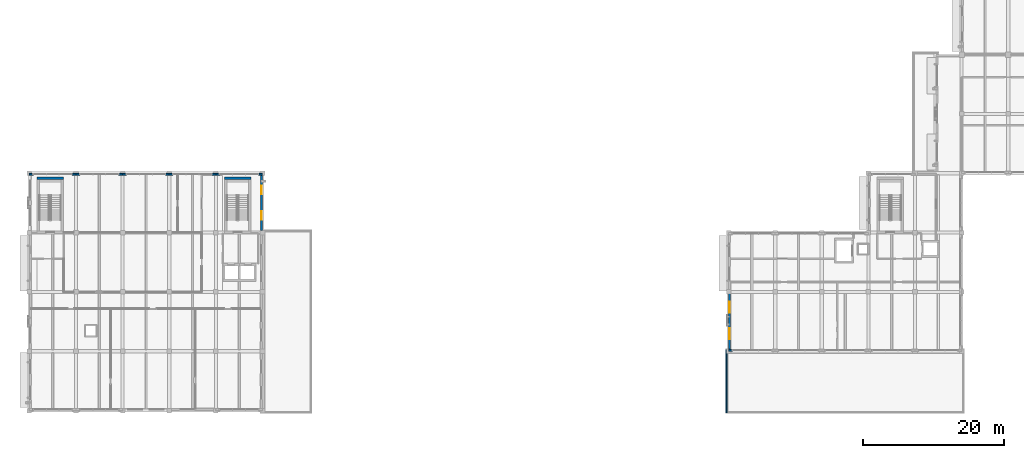
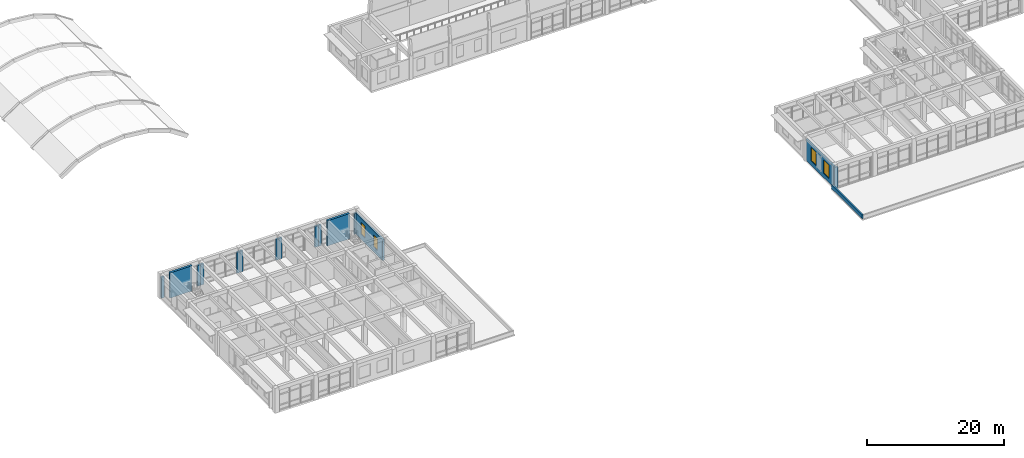
# One storey, part 28 of 50: 16 walls, 4 windows, 4 openings.
"""IFC4 building model written with IfcOpenShell, lengths in metres."""

from ifc_helpers import new_model, si_unit, direction, frame, frame_2d, origin, place, context, subcontext, project, spatial, rectangle, extrude, material, layer, layer_set, type_object, element, fill, save


model = new_model("IFC4")

# Units and contexts
model_context = context("Model", 3, precision=1e-05, world=origin(), true_north=direction((0.0, 1.0)))
body_context = subcontext(model_context, "Body", "Model", "MODEL_VIEW")
ifc_project = project(units=[si_unit("LENGTHUNIT", "METRE"), si_unit("AREAUNIT", "SQUARE_METRE"), si_unit("VOLUMEUNIT", "CUBIC_METRE"), si_unit("PLANEANGLEUNIT", "RADIAN"), si_unit("MASSUNIT", "GRAM", prefix="KILO")], contexts=[model_context])

# Site, building, storey
site_placement = place(None, origin())
site = spatial("IfcSite", under=ifc_project, at=site_placement, CompositionType="ELEMENT")
building_placement = place(site_placement, origin())
building = spatial("IfcBuilding", under=site, at=building_placement, Name="Kolvaren Faculty of Natural Sciences", CompositionType="ELEMENT")
storey_placement = place(building_placement, frame((0.0, 0.0, 15.0)))
storey = spatial("IfcBuildingStorey", under=building, at=storey_placement, Name="L03", CompositionType="ELEMENT", Elevation=15.0)

# Walls
ifc_material_1 = material(Name="Concrete C40/50", Category="concrete")
ifc_layer_1 = layer(ifc_material_1, 0.35009765625)
ifc_layer_set_1 = layer_set([ifc_layer_1], Name="Concrete C40/50")
wall_type_1 = type_object("IfcWallType", Name="CoreShearWall_350", PredefinedType="SHEAR", material=ifc_layer_set_1)
for number, where, z_axis, x_axis, name in (
    (1, (34.425048828125, 41.5, 0.0), (0.0, 0.0, 1.0), (1.0, 0.0, 0.0), "L03 CORE-C4 stair shear wall N"),
    (2, (7.875, 41.5, 0.0), (0.0, 0.0, 1.0), (1.0, 0.0, 0.0), "L03 CORE-C8 stair shear wall N"),
):
    element("IfcWall", number, at=place(storey_placement, frame(where, z_axis=z_axis, x_axis=x_axis)), inside=storey, type_object=wall_type_1, Name=name, PredefinedType="SHEAR", context=body_context, shape_type="SweptSolid", body=[
        extrude(rectangle(XDim=3.75, YDim=0.35009765625, at=frame_2d((1.875, 0.0))), origin(), (0.0, 0.0, 1.0), 4.5),
    ])
ifc_material_2 = material(Name="Precast concrete C35/45", Category="concrete")
ifc_layer_2 = layer(ifc_material_2, 0.280029296875)
ifc_layer_set_2 = layer_set([ifc_layer_2], Name="Precast concrete C35/45")
wall_type_2 = type_object("IfcWallType", Name="ExteriorPrecastWall_280", PredefinedType="STANDARD", material=ifc_layer_set_2)
for number, where, z_axis, x_axis, name in (
    (3, (6.800048828125, 42.06005859375, 0.0), (0.0, 0.0, 1.0), (1.0, 0.0, 0.0), "L03 curtain-wall pier stub 476"),
    (4, (12.8798828125, 42.06005859375, 0.0), (0.0, 0.0, 1.0), (1.0, 0.0, 0.0), "L03 curtain-wall pier stub 477"),
    (5, (13.39990234375, 42.06005859375, 0.0), (0.0, 0.0, 1.0), (1.0, 0.0, 0.0), "L03 curtain-wall pier stub 478"),
    (6, (19.47998046875, 42.06005859375, 0.0), (0.0, 0.0, 1.0), (1.0, 0.0, 0.0), "L03 curtain-wall pier stub 479"),
    (7, (20.0, 42.06005859375, 0.0), (0.0, 0.0, 1.0), (1.0, 0.0, 0.0), "L03 curtain-wall pier stub 480"),
    (8, (26.080078125, 42.06005859375, 0.0), (0.0, 0.0, 1.0), (1.0, 0.0, 0.0), "L03 curtain-wall pier stub 481"),
    (9, (26.60009765625, 42.06005859375, 0.0), (0.0, 0.0, 1.0), (1.0, 0.0, 0.0), "L03 curtain-wall pier stub 482"),
    (10, (32.679931640625, 42.06005859375, 0.0), (0.0, 0.0, 1.0), (1.0, 0.0, 0.0), "L03 curtain-wall pier stub 483"),
    (11, (33.199951171875, 42.06005859375, 0.0), (0.0, 0.0, 1.0), (1.0, 0.0, 0.0), "L03 curtain-wall pier stub 484"),
    (12, (39.280029296875, 42.06005859375, 0.0), (0.0, 0.0, 1.0), (1.0, 0.0, 0.0), "L03 curtain-wall pier stub 485"),
):
    element("IfcWall", number, at=place(storey_placement, frame(where, z_axis=z_axis, x_axis=x_axis)), inside=storey, type_object=wall_type_2, Name=name, PredefinedType="STANDARD", context=body_context, shape_type="SweptSolid", body=[
        extrude(rectangle(XDim=0.52001953125, YDim=0.280029296875, at=frame_2d((0.260009765625, 0.0))), origin(), (0.0, 0.0, 1.0), 3.735107421875),
    ])

# Wall, openings, windows
wall_1_placement = place(storey_placement, frame((39.659912109375, 41.919921875, 0.0), z_axis=(0.0, 0.0, 1.0), x_axis=(0.0, -1.0, 0.0)))
wall_1 = element("IfcWall", 13, at=wall_1_placement, inside=storey, type_object=wall_type_2, Name="L03 exterior masonry wall EW-280 (486)", PredefinedType="STANDARD", context=body_context, shape_type="SweptSolid", body=[
    extrude(rectangle(XDim=7.83984375, YDim=0.280029296875, at=frame_2d((3.919921875, 0.0))), origin(), (0.0, 0.0, 1.0), 3.735107421875),
])
opening_1_placement = place(wall_1_placement, frame((1.516845703125, 0.0, 0.89990234375)))
opening_1 = element("IfcOpeningElement", 14, at=opening_1_placement, cuts=wall_1, Name="Opening WIN-01", PredefinedType="OPENING", context=body_context, shape_type="SweptSolid", body=[
    extrude(rectangle(XDim=1.199951171875, YDim=2.10009765625, at=frame_2d((0.60009765625, 1.050048828125))), frame((0.0, 0.14990234375, 0.0), z_axis=(0.0, -1.0, 0.0), x_axis=(1.0, 0.0, 0.0)), (0.0, 0.0, 1.0), 0.300048828125),
])
opening_2_placement = place(wall_1_placement, frame((5.123291015625, 0.0, 0.89990234375)))
opening_2 = element("IfcOpeningElement", 15, at=opening_2_placement, cuts=wall_1, Name="Opening WIN-01", PredefinedType="OPENING", context=body_context, shape_type="SweptSolid", body=[
    extrude(rectangle(XDim=1.199951171875, YDim=2.10009765625, at=frame_2d((0.60009765625, 1.050048828125))), frame((0.0, 0.14990234375, 0.0), z_axis=(0.0, -1.0, 0.0), x_axis=(1.0, 0.0, 0.0)), (0.0, 0.0, 1.0), 0.300048828125),
])
ifc_material_3 = material(Name="Double low-E solar control insulated glazing", Category="glass")
window_type_1 = type_object("IfcWindowType", Name="AluWindow_WIN01_1200x2100", PartitioningType="SINGLE_PANEL", PredefinedType="WINDOW", material=ifc_material_3)
window_1_placement = place(opening_1_placement, origin())
window_1 = element("IfcWindow", 16, at=window_1_placement, inside=storey, type_object=window_type_1, Name="WIN-L03-0307", OverallHeight=2.10009765625, OverallWidth=1.199951171875, PartitioningType="SINGLE_PANEL", PredefinedType="WINDOW", context=body_context, shape_type="SweptSolid", body=[
    extrude(rectangle(XDim=1.199951171875, YDim=2.10009765625, at=frame_2d((0.60009765625, 1.050048828125))), frame((0.0, 0.030029296875, 0.0), z_axis=(0.0, -1.0, 0.0), x_axis=(1.0, 0.0, 0.0)), (0.0, 0.0, 1.0), 0.06005859375),
])
fill(opening_1, window_1)
window_2_placement = place(opening_2_placement, origin())
window_2 = element("IfcWindow", 17, at=window_2_placement, inside=storey, type_object=window_type_1, Name="WIN-L03-0308", OverallHeight=2.10009765625, OverallWidth=1.199951171875, PartitioningType="SINGLE_PANEL", PredefinedType="WINDOW", context=body_context, shape_type="SweptSolid", body=[
    extrude(rectangle(XDim=1.199951171875, YDim=2.10009765625, at=frame_2d((0.60009765625, 1.050048828125))), frame((0.0, 0.030029296875, 0.0), z_axis=(0.0, -1.0, 0.0), x_axis=(1.0, 0.0, 0.0)), (0.0, 0.0, 1.0), 0.06005859375),
])
fill(opening_2, window_2)

# Wall
wall_2_placement = place(storey_placement, frame((106.320068359375, 17.139892578125, 0.0), z_axis=(0.0, 0.0, 1.0), x_axis=(-1.0, 0.0, 0.0)))
element("IfcWall", 18, at=wall_2_placement, inside=storey, type_object=wall_type_2, Name="L03 curtain-wall pier stub 550", PredefinedType="STANDARD", context=body_context, shape_type="SweptSolid", body=[
    extrude(rectangle(XDim=0.52001953125, YDim=0.280029296875, at=frame_2d((0.260009765625, 0.0))), origin(), (0.0, 0.0, 1.0), 3.735107421875),
])

# Wall, openings, windows
wall_3_placement = place(storey_placement, frame((105.93994140625, 17.280029296875, 0.0), z_axis=(0.0, 0.0, 1.0), x_axis=(0.0, 1.0, 0.0)))
wall_3 = element("IfcWall", 19, at=wall_3_placement, inside=storey, type_object=wall_type_2, Name="L03 exterior masonry wall EW-280 (551)", PredefinedType="STANDARD", context=body_context, shape_type="SweptSolid", body=[
    extrude(rectangle(XDim=8.119873046875, YDim=0.280029296875, at=frame_2d((4.06005859375, 0.0))), origin(), (0.0, 0.0, 1.0), 3.784912109375),
])
opening_3_placement = place(wall_3_placement, frame((1.41748046875, 0.0, 0.75)))
opening_3 = element("IfcOpeningElement", 20, at=opening_3_placement, cuts=wall_3, Name="Opening WIN-20", PredefinedType="OPENING", context=body_context, shape_type="SweptSolid", body=[
    extrude(rectangle(XDim=1.550048828125, YDim=2.39990234375, at=frame_2d((0.77490234375, 1.199951171875))), frame((0.0, 0.14990234375, 0.0), z_axis=(0.0, -1.0, 0.0), x_axis=(1.0, 0.0, 0.0)), (0.0, 0.0, 1.0), 0.300048828125),
])
opening_4_placement = place(wall_3_placement, frame((5.152587890625, 0.0, 0.75)))
opening_4 = element("IfcOpeningElement", 21, at=opening_4_placement, cuts=wall_3, Name="Opening WIN-20", PredefinedType="OPENING", context=body_context, shape_type="SweptSolid", body=[
    extrude(rectangle(XDim=1.550048828125, YDim=2.39990234375, at=frame_2d((0.77490234375, 1.199951171875))), frame((0.0, 0.14990234375, 0.0), z_axis=(0.0, -1.0, 0.0), x_axis=(1.0, 0.0, 0.0)), (0.0, 0.0, 1.0), 0.300048828125),
])
window_type_2 = type_object("IfcWindowType", Name="AluWindow_WIN20_1550x2400", PartitioningType="SINGLE_PANEL", PredefinedType="WINDOW", material=ifc_material_3)
window_3_placement = place(opening_3_placement, origin())
window_3 = element("IfcWindow", 22, at=window_3_placement, inside=storey, type_object=window_type_2, Name="WIN-L03-0334", OverallHeight=2.39990234375, OverallWidth=1.550048828125, PartitioningType="SINGLE_PANEL", PredefinedType="WINDOW", context=body_context, shape_type="SweptSolid", body=[
    extrude(rectangle(XDim=1.550048828125, YDim=2.39990234375, at=frame_2d((0.77490234375, 1.199951171875))), frame((0.0, 0.030029296875, 0.0), z_axis=(0.0, -1.0, 0.0), x_axis=(1.0, 0.0, 0.0)), (0.0, 0.0, 1.0), 0.06005859375),
])
fill(opening_3, window_3)
window_4_placement = place(opening_4_placement, origin())
window_4 = element("IfcWindow", 23, at=window_4_placement, inside=storey, type_object=window_type_2, Name="WIN-L03-0335", OverallHeight=2.39990234375, OverallWidth=1.550048828125, PartitioningType="SINGLE_PANEL", PredefinedType="WINDOW", context=body_context, shape_type="SweptSolid", body=[
    extrude(rectangle(XDim=1.550048828125, YDim=2.39990234375, at=frame_2d((0.77490234375, 1.199951171875))), frame((0.0, 0.030029296875, 0.0), z_axis=(0.0, -1.0, 0.0), x_axis=(1.0, 0.0, 0.0)), (0.0, 0.0, 1.0), 0.06005859375),
])
fill(opening_4, window_4)

# Wall
ifc_layer_3 = layer(ifc_material_2, 0.219970703125)
ifc_layer_set_3 = layer_set([ifc_layer_3], Name="Precast concrete C35/45")
wall_type_3 = type_object("IfcWallType", Name="ParapetUpstandWall_220", PredefinedType="PARAPET", material=ifc_layer_set_3)
wall_4_placement = place(storey_placement, frame((105.52001953125, 8.320068359375, 0.0), z_axis=(0.0, 0.0, 1.0), x_axis=(0.0, 1.0, 0.0)))
element("IfcWall", 24, at=wall_4_placement, inside=storey, type_object=wall_type_3, Name="L03 architectural sandstone roof parapet 40", PredefinedType="PARAPET", context=body_context, shape_type="SweptSolid", body=[
    extrude(rectangle(XDim=8.909912109375, YDim=0.219970703125, at=frame_2d((4.455078125, 0.0))), origin(), (0.0, 0.0, 1.0), 0.679931640625),
])

save(model, "model.ifc")
